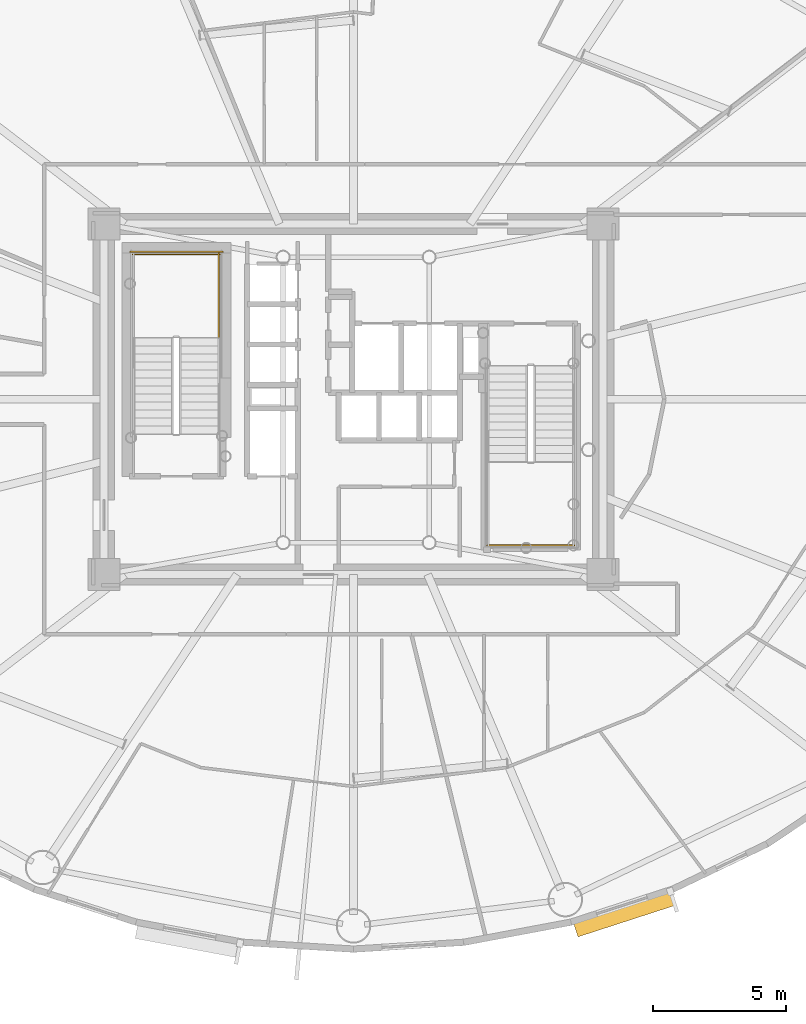
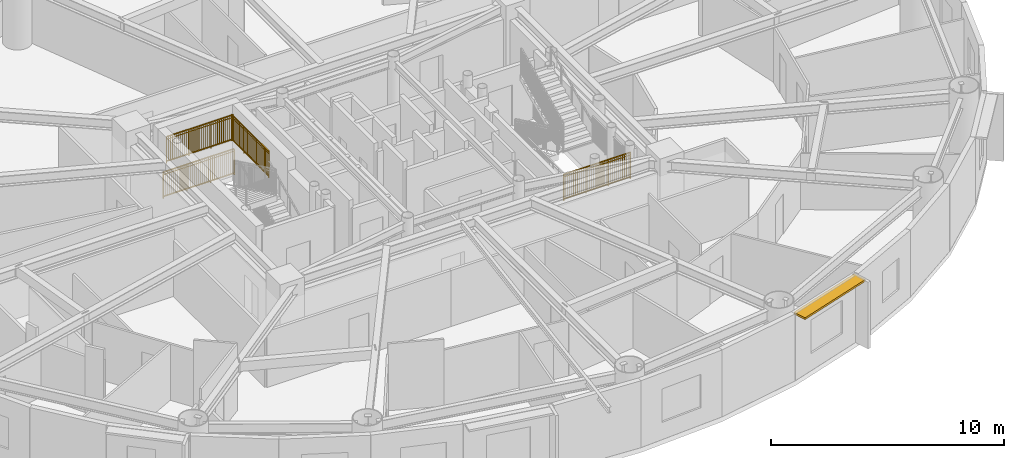
# One storey, part 18 of 21: 4 railings, 1 shading device.
"""IFC4 building model written with IfcOpenShell, lengths in metres."""

from ifc_helpers import new_model, si_unit, direction, frame, origin, origin_2d, place, context, subcontext, project, spatial, rectangle, extrude, source, transform, mapped, material, layer, layer_set, type_object, element, save


model = new_model("IFC4")

# Units and contexts
model_context = context("Model", 3, precision=1e-05, world=origin(), true_north=direction((0.0, 1.0)))
body_context = subcontext(model_context, "Body", "Model", "MODEL_VIEW")
ifc_project = project(units=[si_unit("LENGTHUNIT", "METRE"), si_unit("AREAUNIT", "SQUARE_METRE"), si_unit("VOLUMEUNIT", "CUBIC_METRE"), si_unit("PLANEANGLEUNIT", "RADIAN"), si_unit("MASSUNIT", "GRAM", prefix="KILO")], contexts=[model_context])

# Site, building, storey
site_placement = place(None, origin())
site = spatial("IfcSite", under=ifc_project, at=site_placement, CompositionType="ELEMENT")
building_placement = place(site_placement, origin())
building = spatial("IfcBuilding", under=site, at=building_placement, Name="Linh Dai School and Residence Tower", CompositionType="ELEMENT")
storey_placement = place(building_placement, frame((0.0, 0.0, 189.89990234375)))
storey = spatial("IfcBuildingStorey", under=building, at=storey_placement, Name="L46", CompositionType="ELEMENT", Elevation=189.89990234375)

# Shading device
ifc_material_1 = material(Name="Terracotta Ceramic Sunshade", Category="masonry")
ifc_layer = layer(ifc_material_1, 0.10009765625)
ifc_layer_set = layer_set([ifc_layer], Name="Terracotta Ceramic Sunshade")
shading_device_type = type_object("IfcShadingDeviceType", Name="SHD-TC-650", PredefinedType="USERDEFINED", material=ifc_layer_set)
shared_shape_1 = source(origin(), body_context, "Body", "SweptSolid", [
    extrude(rectangle(XDim=3.876220703125, YDim=0.64990234375, at=origin_2d()), origin(), (0.0, 0.0, 1.0), 0.10009765625),
])
shading_device_placement = place(storey_placement, frame((46.197265625, 7.662353515625, 3.380126953125), z_axis=(0.0, 0.0, 1.0), x_axis=(-0.951212761419, -0.308535707031, 0.0)))
element("IfcShadingDevice", 1, at=shading_device_placement, inside=storey, type_object=shading_device_type, Name="L46 Terracotta Horizontal Sunshade Band 33", ObjectType="SUNSHADE", PredefinedType="USERDEFINED", context=body_context, shape_type="MappedRepresentation", body=[
    mapped(shared_shape_1, transform((0.0, 0.0, 0.0), x_axis=(1.0, 0.0, 0.0), y_axis=(0.0, 1.0, 0.0), z_axis=(0.0, 0.0, 1.0), scale=1.0)),
])

# Railings
ifc_material_2 = material(Name="Structural Steel S355JR", Category="steel")
railing_type = type_object("IfcRailingType", Name="RL-ST-GUARD-1400", PredefinedType="GUARDRAIL", material=ifc_material_2)
shared_shape_2 = source(origin(), body_context, "Body", "SweptSolid", [
    extrude(rectangle(XDim=0.048095703125, YDim=0.048095703125, at=origin_2d()), frame((0.0, 0.0, 1.3759765625), z_axis=(-1.0, 0.0, 0.0), x_axis=(0.0, -1.0, 0.0)), (0.0, 0.0, 1.0), 3.300048828125),
    extrude(rectangle(XDim=0.048095703125, YDim=0.048095703125, at=origin_2d()), frame((0.0, 0.0, 0.10009765625), z_axis=(-1.0, 0.0, 0.0), x_axis=(0.0, -1.0, 0.0)), (0.0, 0.0, 1.0), 3.300048828125),
    extrude(rectangle(XDim=0.030029296875, YDim=0.030029296875, at=origin_2d()), frame((0.0, 0.0, 1.239990234375), z_axis=(-1.0, 0.0, 0.0), x_axis=(0.0, -1.0, 0.0)), (0.0, 0.0, 1.0), 3.300048828125),
    extrude(rectangle(XDim=0.02001953125, YDim=0.02001953125, at=origin_2d()), frame((-0.09716796875, 0.0, 0.10009765625)), (0.0, 0.0, 1.0), 1.251708984375),
    extrude(rectangle(XDim=0.02001953125, YDim=0.02001953125, at=origin_2d()), frame((-0.194091796875, 0.0, 0.10009765625)), (0.0, 0.0, 1.0), 1.251708984375),
    extrude(rectangle(XDim=0.02001953125, YDim=0.02001953125, at=origin_2d()), frame((-0.291259765625, 0.0, 0.10009765625)), (0.0, 0.0, 1.0), 1.251708984375),
    extrude(rectangle(XDim=0.02001953125, YDim=0.02001953125, at=origin_2d()), frame((-0.38818359375, 0.0, 0.10009765625)), (0.0, 0.0, 1.0), 1.251708984375),
    extrude(rectangle(XDim=0.02001953125, YDim=0.02001953125, at=origin_2d()), frame((-0.4853515625, 0.0, 0.10009765625)), (0.0, 0.0, 1.0), 1.251708984375),
    extrude(rectangle(XDim=0.02001953125, YDim=0.02001953125, at=origin_2d()), frame((-0.582275390625, 0.0, 0.10009765625)), (0.0, 0.0, 1.0), 1.251708984375),
    extrude(rectangle(XDim=0.02001953125, YDim=0.02001953125, at=origin_2d()), frame((-0.679443359375, 0.0, 0.10009765625)), (0.0, 0.0, 1.0), 1.251708984375),
    extrude(rectangle(XDim=0.02001953125, YDim=0.02001953125, at=origin_2d()), frame((-0.7763671875, 0.0, 0.10009765625)), (0.0, 0.0, 1.0), 1.251708984375),
    extrude(rectangle(XDim=0.02001953125, YDim=0.02001953125, at=origin_2d()), frame((-0.87353515625, 0.0, 0.10009765625)), (0.0, 0.0, 1.0), 1.251708984375),
    extrude(rectangle(XDim=0.02001953125, YDim=0.02001953125, at=origin_2d()), frame((-0.970703125, 0.0, 0.10009765625)), (0.0, 0.0, 1.0), 1.251708984375),
    extrude(rectangle(XDim=0.02001953125, YDim=0.02001953125, at=origin_2d()), frame((-1.164794921875, 0.0, 0.10009765625)), (0.0, 0.0, 1.0), 1.251708984375),
    extrude(rectangle(XDim=0.02001953125, YDim=0.02001953125, at=origin_2d()), frame((-1.26171875, 0.0, 0.10009765625)), (0.0, 0.0, 1.0), 1.251708984375),
    extrude(rectangle(XDim=0.02001953125, YDim=0.02001953125, at=origin_2d()), frame((-1.35888671875, 0.0, 0.10009765625)), (0.0, 0.0, 1.0), 1.251708984375),
    extrude(rectangle(XDim=0.02001953125, YDim=0.02001953125, at=origin_2d()), frame((-1.455810546875, 0.0, 0.10009765625)), (0.0, 0.0, 1.0), 1.251708984375),
    extrude(rectangle(XDim=0.02001953125, YDim=0.02001953125, at=origin_2d()), frame((-1.552978515625, 0.0, 0.10009765625)), (0.0, 0.0, 1.0), 1.251708984375),
    extrude(rectangle(XDim=0.02001953125, YDim=0.02001953125, at=origin_2d()), frame((-1.64990234375, 0.0, 0.10009765625)), (0.0, 0.0, 1.0), 1.251708984375),
    extrude(rectangle(XDim=0.02001953125, YDim=0.02001953125, at=origin_2d()), frame((-1.7470703125, 0.0, 0.10009765625)), (0.0, 0.0, 1.0), 1.251708984375),
    extrude(rectangle(XDim=0.02001953125, YDim=0.02001953125, at=origin_2d()), frame((-1.84423828125, 0.0, 0.10009765625)), (0.0, 0.0, 1.0), 1.251708984375),
    extrude(rectangle(XDim=0.02001953125, YDim=0.02001953125, at=origin_2d()), frame((-1.941162109375, 0.0, 0.10009765625)), (0.0, 0.0, 1.0), 1.251708984375),
    extrude(rectangle(XDim=0.02001953125, YDim=0.02001953125, at=origin_2d()), frame((-2.038330078125, 0.0, 0.10009765625)), (0.0, 0.0, 1.0), 1.251708984375),
    extrude(rectangle(XDim=0.02001953125, YDim=0.02001953125, at=origin_2d()), frame((-2.13525390625, 0.0, 0.10009765625)), (0.0, 0.0, 1.0), 1.251708984375),
    extrude(rectangle(XDim=0.02001953125, YDim=0.02001953125, at=origin_2d()), frame((-2.329345703125, 0.0, 0.10009765625)), (0.0, 0.0, 1.0), 1.251708984375),
    extrude(rectangle(XDim=0.02001953125, YDim=0.02001953125, at=origin_2d()), frame((-2.426513671875, 0.0, 0.10009765625)), (0.0, 0.0, 1.0), 1.251708984375),
    extrude(rectangle(XDim=0.02001953125, YDim=0.02001953125, at=origin_2d()), frame((-2.523681640625, 0.0, 0.10009765625)), (0.0, 0.0, 1.0), 1.251708984375),
    extrude(rectangle(XDim=0.02001953125, YDim=0.02001953125, at=origin_2d()), frame((-2.62060546875, 0.0, 0.10009765625)), (0.0, 0.0, 1.0), 1.251708984375),
    extrude(rectangle(XDim=0.02001953125, YDim=0.02001953125, at=origin_2d()), frame((-2.7177734375, 0.0, 0.10009765625)), (0.0, 0.0, 1.0), 1.251708984375),
    extrude(rectangle(XDim=0.02001953125, YDim=0.02001953125, at=origin_2d()), frame((-2.814697265625, 0.0, 0.10009765625)), (0.0, 0.0, 1.0), 1.251708984375),
    extrude(rectangle(XDim=0.02001953125, YDim=0.02001953125, at=origin_2d()), frame((-2.911865234375, 0.0, 0.10009765625)), (0.0, 0.0, 1.0), 1.251708984375),
    extrude(rectangle(XDim=0.02001953125, YDim=0.02001953125, at=origin_2d()), frame((-3.0087890625, 0.0, 0.10009765625)), (0.0, 0.0, 1.0), 1.251708984375),
    extrude(rectangle(XDim=0.02001953125, YDim=0.02001953125, at=origin_2d()), frame((-3.10595703125, 0.0, 0.10009765625)), (0.0, 0.0, 1.0), 1.251708984375),
    extrude(rectangle(XDim=0.02001953125, YDim=0.02001953125, at=origin_2d()), frame((-3.202880859375, 0.0, 0.10009765625)), (0.0, 0.0, 1.0), 1.251708984375),
    extrude(rectangle(XDim=0.0419921875, YDim=0.0419921875, at=origin_2d()), origin(), (0.0, 0.0, 1.0), 1.3759765625),
    extrude(rectangle(XDim=0.0419921875, YDim=0.0419921875, at=origin_2d()), frame((-1.10009765625, 0.0, 0.0)), (0.0, 0.0, 1.0), 1.3759765625),
    extrude(rectangle(XDim=0.0419921875, YDim=0.0419921875, at=origin_2d()), frame((-2.199951171875, 0.0, 0.0)), (0.0, 0.0, 1.0), 1.3759765625),
    extrude(rectangle(XDim=0.0419921875, YDim=0.0419921875, at=origin_2d()), frame((-3.300048828125, 0.0, 0.0)), (0.0, 0.0, 1.0), 1.3759765625),
])
railing_1_placement = place(storey_placement, frame((30.97998046875, 32.449951171875, 1.875)))
element("IfcRailing", 2, at=railing_1_placement, inside=storey, type_object=railing_type, Name="L46 ST1 stair guard 5", PredefinedType="GUARDRAIL", context=body_context, shape_type="MappedRepresentation", body=[
    mapped(shared_shape_2, transform((0.0, 0.0, 0.0), x_axis=(1.0, 0.0, 0.0), y_axis=(0.0, 1.0, 0.0), z_axis=(0.0, 0.0, 1.0), scale=1.0)),
])
shared_shape_3 = source(origin(), body_context, "Body", "SweptSolid", [
    extrude(rectangle(XDim=0.048095703125, YDim=0.048095703125, at=origin_2d()), frame((0.0, 0.0, 1.3759765625), z_axis=(-1.0, 0.0, 0.0), x_axis=(0.0, -1.0, 0.0)), (0.0, 0.0, 1.0), 3.5),
    extrude(rectangle(XDim=0.048095703125, YDim=0.048095703125, at=origin_2d()), frame((0.0, 0.0, 0.10009765625), z_axis=(-1.0, 0.0, 0.0), x_axis=(0.0, -1.0, 0.0)), (0.0, 0.0, 1.0), 3.5),
    extrude(rectangle(XDim=0.030029296875, YDim=0.030029296875, at=origin_2d()), frame((0.0, 0.0, 1.239990234375), z_axis=(-1.0, 0.0, 0.0), x_axis=(0.0, -1.0, 0.0)), (0.0, 0.0, 1.0), 3.5),
    extrude(rectangle(XDim=0.02001953125, YDim=0.02001953125, at=origin_2d()), frame((-0.09716796875, 0.0, 0.10009765625)), (0.0, 0.0, 1.0), 1.251708984375),
    extrude(rectangle(XDim=0.02001953125, YDim=0.02001953125, at=origin_2d()), frame((-0.1943359375, 0.0, 0.10009765625)), (0.0, 0.0, 1.0), 1.251708984375),
    extrude(rectangle(XDim=0.02001953125, YDim=0.02001953125, at=origin_2d()), frame((-0.291748046875, 0.0, 0.10009765625)), (0.0, 0.0, 1.0), 1.251708984375),
    extrude(rectangle(XDim=0.02001953125, YDim=0.02001953125, at=origin_2d()), frame((-0.388916015625, 0.0, 0.10009765625)), (0.0, 0.0, 1.0), 1.251708984375),
    extrude(rectangle(XDim=0.02001953125, YDim=0.02001953125, at=origin_2d()), frame((-0.486083984375, 0.0, 0.10009765625)), (0.0, 0.0, 1.0), 1.251708984375),
    extrude(rectangle(XDim=0.02001953125, YDim=0.02001953125, at=origin_2d()), frame((-0.583251953125, 0.0, 0.10009765625)), (0.0, 0.0, 1.0), 1.251708984375),
    extrude(rectangle(XDim=0.02001953125, YDim=0.02001953125, at=origin_2d()), frame((-0.6806640625, 0.0, 0.10009765625)), (0.0, 0.0, 1.0), 1.251708984375),
    extrude(rectangle(XDim=0.02001953125, YDim=0.02001953125, at=origin_2d()), frame((-0.77783203125, 0.0, 0.10009765625)), (0.0, 0.0, 1.0), 1.251708984375),
    extrude(rectangle(XDim=0.02001953125, YDim=0.02001953125, at=origin_2d()), frame((-0.875, 0.0, 0.10009765625)), (0.0, 0.0, 1.0), 1.251708984375),
    extrude(rectangle(XDim=0.02001953125, YDim=0.02001953125, at=origin_2d()), frame((-0.97216796875, 0.0, 0.10009765625)), (0.0, 0.0, 1.0), 1.251708984375),
    extrude(rectangle(XDim=0.02001953125, YDim=0.02001953125, at=origin_2d()), frame((-1.0693359375, 0.0, 0.10009765625)), (0.0, 0.0, 1.0), 1.251708984375),
    extrude(rectangle(XDim=0.02001953125, YDim=0.02001953125, at=origin_2d()), frame((-1.263916015625, 0.0, 0.10009765625)), (0.0, 0.0, 1.0), 1.251708984375),
    extrude(rectangle(XDim=0.02001953125, YDim=0.02001953125, at=origin_2d()), frame((-1.361083984375, 0.0, 0.10009765625)), (0.0, 0.0, 1.0), 1.251708984375),
    extrude(rectangle(XDim=0.02001953125, YDim=0.02001953125, at=origin_2d()), frame((-1.458251953125, 0.0, 0.10009765625)), (0.0, 0.0, 1.0), 1.251708984375),
    extrude(rectangle(XDim=0.02001953125, YDim=0.02001953125, at=origin_2d()), frame((-1.5556640625, 0.0, 0.10009765625)), (0.0, 0.0, 1.0), 1.251708984375),
    extrude(rectangle(XDim=0.02001953125, YDim=0.02001953125, at=origin_2d()), frame((-1.65283203125, 0.0, 0.10009765625)), (0.0, 0.0, 1.0), 1.251708984375),
    extrude(rectangle(XDim=0.02001953125, YDim=0.02001953125, at=origin_2d()), frame((-1.75, 0.0, 0.10009765625)), (0.0, 0.0, 1.0), 1.251708984375),
    extrude(rectangle(XDim=0.02001953125, YDim=0.02001953125, at=origin_2d()), frame((-1.84716796875, 0.0, 0.10009765625)), (0.0, 0.0, 1.0), 1.251708984375),
    extrude(rectangle(XDim=0.02001953125, YDim=0.02001953125, at=origin_2d()), frame((-1.9443359375, 0.0, 0.10009765625)), (0.0, 0.0, 1.0), 1.251708984375),
    extrude(rectangle(XDim=0.02001953125, YDim=0.02001953125, at=origin_2d()), frame((-2.041748046875, 0.0, 0.10009765625)), (0.0, 0.0, 1.0), 1.251708984375),
    extrude(rectangle(XDim=0.02001953125, YDim=0.02001953125, at=origin_2d()), frame((-2.138916015625, 0.0, 0.10009765625)), (0.0, 0.0, 1.0), 1.251708984375),
    extrude(rectangle(XDim=0.02001953125, YDim=0.02001953125, at=origin_2d()), frame((-2.236083984375, 0.0, 0.10009765625)), (0.0, 0.0, 1.0), 1.251708984375),
    extrude(rectangle(XDim=0.02001953125, YDim=0.02001953125, at=origin_2d()), frame((-2.4306640625, 0.0, 0.10009765625)), (0.0, 0.0, 1.0), 1.251708984375),
    extrude(rectangle(XDim=0.02001953125, YDim=0.02001953125, at=origin_2d()), frame((-2.52783203125, 0.0, 0.10009765625)), (0.0, 0.0, 1.0), 1.251708984375),
    extrude(rectangle(XDim=0.02001953125, YDim=0.02001953125, at=origin_2d()), frame((-2.625, 0.0, 0.10009765625)), (0.0, 0.0, 1.0), 1.251708984375),
    extrude(rectangle(XDim=0.02001953125, YDim=0.02001953125, at=origin_2d()), frame((-2.72216796875, 0.0, 0.10009765625)), (0.0, 0.0, 1.0), 1.251708984375),
    extrude(rectangle(XDim=0.02001953125, YDim=0.02001953125, at=origin_2d()), frame((-2.8193359375, 0.0, 0.10009765625)), (0.0, 0.0, 1.0), 1.251708984375),
    extrude(rectangle(XDim=0.02001953125, YDim=0.02001953125, at=origin_2d()), frame((-2.916748046875, 0.0, 0.10009765625)), (0.0, 0.0, 1.0), 1.251708984375),
    extrude(rectangle(XDim=0.02001953125, YDim=0.02001953125, at=origin_2d()), frame((-3.013916015625, 0.0, 0.10009765625)), (0.0, 0.0, 1.0), 1.251708984375),
    extrude(rectangle(XDim=0.02001953125, YDim=0.02001953125, at=origin_2d()), frame((-3.111083984375, 0.0, 0.10009765625)), (0.0, 0.0, 1.0), 1.251708984375),
    extrude(rectangle(XDim=0.02001953125, YDim=0.02001953125, at=origin_2d()), frame((-3.208251953125, 0.0, 0.10009765625)), (0.0, 0.0, 1.0), 1.251708984375),
    extrude(rectangle(XDim=0.02001953125, YDim=0.02001953125, at=origin_2d()), frame((-3.3056640625, 0.0, 0.10009765625)), (0.0, 0.0, 1.0), 1.251708984375),
    extrude(rectangle(XDim=0.02001953125, YDim=0.02001953125, at=origin_2d()), frame((-3.40283203125, 0.0, 0.10009765625)), (0.0, 0.0, 1.0), 1.251708984375),
    extrude(rectangle(XDim=0.0419921875, YDim=0.0419921875, at=origin_2d()), origin(), (0.0, 0.0, 1.0), 1.3759765625),
    extrude(rectangle(XDim=0.0419921875, YDim=0.0419921875, at=origin_2d()), frame((-1.166748046875, 0.0, 0.0)), (0.0, 0.0, 1.0), 1.3759765625),
    extrude(rectangle(XDim=0.0419921875, YDim=0.0419921875, at=origin_2d()), frame((-2.333251953125, 0.0, 0.0)), (0.0, 0.0, 1.0), 1.3759765625),
    extrude(rectangle(XDim=0.0419921875, YDim=0.0419921875, at=origin_2d()), frame((-3.5, 0.0, 0.0)), (0.0, 0.0, 1.0), 1.3759765625),
])
railing_2_placement = place(storey_placement, frame((31.080078125, 32.550048828125, 0.0)))
element("IfcRailing", 3, at=railing_2_placement, inside=storey, type_object=railing_type, Name="L46 ST1 stair guard 12", PredefinedType="GUARDRAIL", context=body_context, shape_type="MappedRepresentation", body=[
    mapped(shared_shape_3, transform((0.0, 0.0, 0.0), x_axis=(1.0, 0.0, 0.0), y_axis=(0.0, 1.0, 0.0), z_axis=(0.0, 0.0, 1.0), scale=1.0)),
])
shared_shape_4 = source(origin(), body_context, "Body", "SweptSolid", [
    extrude(rectangle(XDim=0.048095703125, YDim=0.048095703125, at=origin_2d()), frame((0.0, 0.0, 1.3759765625), z_axis=(0.0, 1.0, 0.0), x_axis=(-1.0, 0.0, 0.0)), (0.0, 0.0, 1.0), 3.199951171875),
    extrude(rectangle(XDim=0.048095703125, YDim=0.048095703125, at=origin_2d()), frame((0.0, 0.0, 0.10009765625), z_axis=(0.0, 1.0, 0.0), x_axis=(-1.0, 0.0, 0.0)), (0.0, 0.0, 1.0), 3.199951171875),
    extrude(rectangle(XDim=0.030029296875, YDim=0.030029296875, at=origin_2d()), frame((0.0, 0.0, 1.239990234375), z_axis=(0.0, 1.0, 0.0), x_axis=(-1.0, 0.0, 0.0)), (0.0, 0.0, 1.0), 3.199951171875),
    extrude(rectangle(XDim=0.02001953125, YDim=0.02001953125, at=origin_2d()), frame((0.0, 0.096923828125, 0.10009765625)), (0.0, 0.0, 1.0), 1.251708984375),
    extrude(rectangle(XDim=0.02001953125, YDim=0.02001953125, at=origin_2d()), frame((0.0, 0.19384765625, 0.10009765625)), (0.0, 0.0, 1.0), 1.251708984375),
    extrude(rectangle(XDim=0.02001953125, YDim=0.02001953125, at=origin_2d()), frame((0.0, 0.291015625, 0.10009765625)), (0.0, 0.0, 1.0), 1.251708984375),
    extrude(rectangle(XDim=0.02001953125, YDim=0.02001953125, at=origin_2d()), frame((0.0, 0.387939453125, 0.10009765625)), (0.0, 0.0, 1.0), 1.251708984375),
    extrude(rectangle(XDim=0.02001953125, YDim=0.02001953125, at=origin_2d()), frame((0.0, 0.48486328125, 0.10009765625)), (0.0, 0.0, 1.0), 1.251708984375),
    extrude(rectangle(XDim=0.02001953125, YDim=0.02001953125, at=origin_2d()), frame((0.0, 0.581787109375, 0.10009765625)), (0.0, 0.0, 1.0), 1.251708984375),
    extrude(rectangle(XDim=0.02001953125, YDim=0.02001953125, at=origin_2d()), frame((0.0, 0.6787109375, 0.10009765625)), (0.0, 0.0, 1.0), 1.251708984375),
    extrude(rectangle(XDim=0.02001953125, YDim=0.02001953125, at=origin_2d()), frame((0.0, 0.775634765625, 0.10009765625)), (0.0, 0.0, 1.0), 1.251708984375),
    extrude(rectangle(XDim=0.02001953125, YDim=0.02001953125, at=origin_2d()), frame((0.0, 0.872802734375, 0.10009765625)), (0.0, 0.0, 1.0), 1.251708984375),
    extrude(rectangle(XDim=0.02001953125, YDim=0.02001953125, at=origin_2d()), frame((0.0, 0.9697265625, 0.10009765625)), (0.0, 0.0, 1.0), 1.251708984375),
    extrude(rectangle(XDim=0.02001953125, YDim=0.02001953125, at=origin_2d()), frame((0.0, 1.16357421875, 0.10009765625)), (0.0, 0.0, 1.0), 1.251708984375),
    extrude(rectangle(XDim=0.02001953125, YDim=0.02001953125, at=origin_2d()), frame((0.0, 1.260498046875, 0.10009765625)), (0.0, 0.0, 1.0), 1.251708984375),
    extrude(rectangle(XDim=0.02001953125, YDim=0.02001953125, at=origin_2d()), frame((0.0, 1.357666015625, 0.10009765625)), (0.0, 0.0, 1.0), 1.251708984375),
    extrude(rectangle(XDim=0.02001953125, YDim=0.02001953125, at=origin_2d()), frame((0.0, 1.45458984375, 0.10009765625)), (0.0, 0.0, 1.0), 1.251708984375),
    extrude(rectangle(XDim=0.02001953125, YDim=0.02001953125, at=origin_2d()), frame((0.0, 1.551513671875, 0.10009765625)), (0.0, 0.0, 1.0), 1.251708984375),
    extrude(rectangle(XDim=0.02001953125, YDim=0.02001953125, at=origin_2d()), frame((0.0, 1.6484375, 0.10009765625)), (0.0, 0.0, 1.0), 1.251708984375),
    extrude(rectangle(XDim=0.02001953125, YDim=0.02001953125, at=origin_2d()), frame((0.0, 1.745361328125, 0.10009765625)), (0.0, 0.0, 1.0), 1.251708984375),
    extrude(rectangle(XDim=0.02001953125, YDim=0.02001953125, at=origin_2d()), frame((0.0, 1.84228515625, 0.10009765625)), (0.0, 0.0, 1.0), 1.251708984375),
    extrude(rectangle(XDim=0.02001953125, YDim=0.02001953125, at=origin_2d()), frame((0.0, 1.939453125, 0.10009765625)), (0.0, 0.0, 1.0), 1.251708984375),
    extrude(rectangle(XDim=0.02001953125, YDim=0.02001953125, at=origin_2d()), frame((0.0, 2.036376953125, 0.10009765625)), (0.0, 0.0, 1.0), 1.251708984375),
    extrude(rectangle(XDim=0.02001953125, YDim=0.02001953125, at=origin_2d()), frame((0.0, 2.230224609375, 0.10009765625)), (0.0, 0.0, 1.0), 1.251708984375),
    extrude(rectangle(XDim=0.02001953125, YDim=0.02001953125, at=origin_2d()), frame((0.0, 2.3271484375, 0.10009765625)), (0.0, 0.0, 1.0), 1.251708984375),
    extrude(rectangle(XDim=0.02001953125, YDim=0.02001953125, at=origin_2d()), frame((0.0, 2.42431640625, 0.10009765625)), (0.0, 0.0, 1.0), 1.251708984375),
    extrude(rectangle(XDim=0.02001953125, YDim=0.02001953125, at=origin_2d()), frame((0.0, 2.521240234375, 0.10009765625)), (0.0, 0.0, 1.0), 1.251708984375),
    extrude(rectangle(XDim=0.02001953125, YDim=0.02001953125, at=origin_2d()), frame((0.0, 2.6181640625, 0.10009765625)), (0.0, 0.0, 1.0), 1.251708984375),
    extrude(rectangle(XDim=0.02001953125, YDim=0.02001953125, at=origin_2d()), frame((0.0, 2.715087890625, 0.10009765625)), (0.0, 0.0, 1.0), 1.251708984375),
    extrude(rectangle(XDim=0.02001953125, YDim=0.02001953125, at=origin_2d()), frame((0.0, 2.81201171875, 0.10009765625)), (0.0, 0.0, 1.0), 1.251708984375),
    extrude(rectangle(XDim=0.02001953125, YDim=0.02001953125, at=origin_2d()), frame((0.0, 2.908935546875, 0.10009765625)), (0.0, 0.0, 1.0), 1.251708984375),
    extrude(rectangle(XDim=0.02001953125, YDim=0.02001953125, at=origin_2d()), frame((0.0, 3.006103515625, 0.10009765625)), (0.0, 0.0, 1.0), 1.251708984375),
    extrude(rectangle(XDim=0.02001953125, YDim=0.02001953125, at=origin_2d()), frame((0.0, 3.10302734375, 0.10009765625)), (0.0, 0.0, 1.0), 1.251708984375),
    extrude(rectangle(XDim=0.0419921875, YDim=0.0419921875, at=origin_2d()), origin(), (0.0, 0.0, 1.0), 1.3759765625),
    extrude(rectangle(XDim=0.0419921875, YDim=0.0419921875, at=origin_2d()), frame((0.0, 1.066650390625, 0.0)), (0.0, 0.0, 1.0), 1.3759765625),
    extrude(rectangle(XDim=0.0419921875, YDim=0.0419921875, at=origin_2d()), frame((0.0, 2.13330078125, 0.0)), (0.0, 0.0, 1.0), 1.3759765625),
    extrude(rectangle(XDim=0.0419921875, YDim=0.0419921875, at=origin_2d()), frame((0.0, 3.199951171875, 0.0)), (0.0, 0.0, 1.0), 1.3759765625),
])
railing_3_placement = place(storey_placement, frame((30.929931640625, 29.300048828125, 1.875)))
element("IfcRailing", 4, at=railing_3_placement, inside=storey, type_object=railing_type, Name="L46 ST1 stair guard 3", PredefinedType="GUARDRAIL", context=body_context, shape_type="MappedRepresentation", body=[
    mapped(shared_shape_4, transform((0.0, 0.0, 0.0), x_axis=(1.0, 0.0, 0.0), y_axis=(0.0, 1.0, 0.0), z_axis=(0.0, 0.0, 1.0), scale=1.0)),
])
shared_shape_5 = source(origin(), body_context, "Body", "SweptSolid", [
    extrude(rectangle(XDim=0.048095703125, YDim=0.048095703125, at=origin_2d()), frame((0.0, 0.0, 1.3759765625), z_axis=(1.0, 0.0, 0.0), x_axis=(0.0, 1.0, 0.0)), (0.0, 0.0, 1.0), 3.300048828125),
    extrude(rectangle(XDim=0.048095703125, YDim=0.048095703125, at=origin_2d()), frame((0.0, 0.0, 0.10009765625), z_axis=(1.0, 0.0, 0.0), x_axis=(0.0, 1.0, 0.0)), (0.0, 0.0, 1.0), 3.300048828125),
    extrude(rectangle(XDim=0.030029296875, YDim=0.030029296875, at=origin_2d()), frame((0.0, 0.0, 1.239990234375), z_axis=(1.0, 0.0, 0.0), x_axis=(0.0, 1.0, 0.0)), (0.0, 0.0, 1.0), 3.300048828125),
    extrude(rectangle(XDim=0.02001953125, YDim=0.02001953125, at=origin_2d()), frame((0.09716796875, 0.0, 0.10009765625)), (0.0, 0.0, 1.0), 1.251708984375),
    extrude(rectangle(XDim=0.02001953125, YDim=0.02001953125, at=origin_2d()), frame((0.194091796875, 0.0, 0.10009765625)), (0.0, 0.0, 1.0), 1.251708984375),
    extrude(rectangle(XDim=0.02001953125, YDim=0.02001953125, at=origin_2d()), frame((0.291259765625, 0.0, 0.10009765625)), (0.0, 0.0, 1.0), 1.251708984375),
    extrude(rectangle(XDim=0.02001953125, YDim=0.02001953125, at=origin_2d()), frame((0.38818359375, 0.0, 0.10009765625)), (0.0, 0.0, 1.0), 1.251708984375),
    extrude(rectangle(XDim=0.02001953125, YDim=0.02001953125, at=origin_2d()), frame((0.4853515625, 0.0, 0.10009765625)), (0.0, 0.0, 1.0), 1.251708984375),
    extrude(rectangle(XDim=0.02001953125, YDim=0.02001953125, at=origin_2d()), frame((0.582275390625, 0.0, 0.10009765625)), (0.0, 0.0, 1.0), 1.251708984375),
    extrude(rectangle(XDim=0.02001953125, YDim=0.02001953125, at=origin_2d()), frame((0.679443359375, 0.0, 0.10009765625)), (0.0, 0.0, 1.0), 1.251708984375),
    extrude(rectangle(XDim=0.02001953125, YDim=0.02001953125, at=origin_2d()), frame((0.7763671875, 0.0, 0.10009765625)), (0.0, 0.0, 1.0), 1.251708984375),
    extrude(rectangle(XDim=0.02001953125, YDim=0.02001953125, at=origin_2d()), frame((0.87353515625, 0.0, 0.10009765625)), (0.0, 0.0, 1.0), 1.251708984375),
    extrude(rectangle(XDim=0.02001953125, YDim=0.02001953125, at=origin_2d()), frame((0.970703125, 0.0, 0.10009765625)), (0.0, 0.0, 1.0), 1.251708984375),
    extrude(rectangle(XDim=0.02001953125, YDim=0.02001953125, at=origin_2d()), frame((1.164794921875, 0.0, 0.10009765625)), (0.0, 0.0, 1.0), 1.251708984375),
    extrude(rectangle(XDim=0.02001953125, YDim=0.02001953125, at=origin_2d()), frame((1.26171875, 0.0, 0.10009765625)), (0.0, 0.0, 1.0), 1.251708984375),
    extrude(rectangle(XDim=0.02001953125, YDim=0.02001953125, at=origin_2d()), frame((1.35888671875, 0.0, 0.10009765625)), (0.0, 0.0, 1.0), 1.251708984375),
    extrude(rectangle(XDim=0.02001953125, YDim=0.02001953125, at=origin_2d()), frame((1.455810546875, 0.0, 0.10009765625)), (0.0, 0.0, 1.0), 1.251708984375),
    extrude(rectangle(XDim=0.02001953125, YDim=0.02001953125, at=origin_2d()), frame((1.552978515625, 0.0, 0.10009765625)), (0.0, 0.0, 1.0), 1.251708984375),
    extrude(rectangle(XDim=0.02001953125, YDim=0.02001953125, at=origin_2d()), frame((1.64990234375, 0.0, 0.10009765625)), (0.0, 0.0, 1.0), 1.251708984375),
    extrude(rectangle(XDim=0.02001953125, YDim=0.02001953125, at=origin_2d()), frame((1.7470703125, 0.0, 0.10009765625)), (0.0, 0.0, 1.0), 1.251708984375),
    extrude(rectangle(XDim=0.02001953125, YDim=0.02001953125, at=origin_2d()), frame((1.84423828125, 0.0, 0.10009765625)), (0.0, 0.0, 1.0), 1.251708984375),
    extrude(rectangle(XDim=0.02001953125, YDim=0.02001953125, at=origin_2d()), frame((1.941162109375, 0.0, 0.10009765625)), (0.0, 0.0, 1.0), 1.251708984375),
    extrude(rectangle(XDim=0.02001953125, YDim=0.02001953125, at=origin_2d()), frame((2.038330078125, 0.0, 0.10009765625)), (0.0, 0.0, 1.0), 1.251708984375),
    extrude(rectangle(XDim=0.02001953125, YDim=0.02001953125, at=origin_2d()), frame((2.13525390625, 0.0, 0.10009765625)), (0.0, 0.0, 1.0), 1.251708984375),
    extrude(rectangle(XDim=0.02001953125, YDim=0.02001953125, at=origin_2d()), frame((2.329345703125, 0.0, 0.10009765625)), (0.0, 0.0, 1.0), 1.251708984375),
    extrude(rectangle(XDim=0.02001953125, YDim=0.02001953125, at=origin_2d()), frame((2.426513671875, 0.0, 0.10009765625)), (0.0, 0.0, 1.0), 1.251708984375),
    extrude(rectangle(XDim=0.02001953125, YDim=0.02001953125, at=origin_2d()), frame((2.523681640625, 0.0, 0.10009765625)), (0.0, 0.0, 1.0), 1.251708984375),
    extrude(rectangle(XDim=0.02001953125, YDim=0.02001953125, at=origin_2d()), frame((2.62060546875, 0.0, 0.10009765625)), (0.0, 0.0, 1.0), 1.251708984375),
    extrude(rectangle(XDim=0.02001953125, YDim=0.02001953125, at=origin_2d()), frame((2.7177734375, 0.0, 0.10009765625)), (0.0, 0.0, 1.0), 1.251708984375),
    extrude(rectangle(XDim=0.02001953125, YDim=0.02001953125, at=origin_2d()), frame((2.814697265625, 0.0, 0.10009765625)), (0.0, 0.0, 1.0), 1.251708984375),
    extrude(rectangle(XDim=0.02001953125, YDim=0.02001953125, at=origin_2d()), frame((2.911865234375, 0.0, 0.10009765625)), (0.0, 0.0, 1.0), 1.251708984375),
    extrude(rectangle(XDim=0.02001953125, YDim=0.02001953125, at=origin_2d()), frame((3.0087890625, 0.0, 0.10009765625)), (0.0, 0.0, 1.0), 1.251708984375),
    extrude(rectangle(XDim=0.02001953125, YDim=0.02001953125, at=origin_2d()), frame((3.10595703125, 0.0, 0.10009765625)), (0.0, 0.0, 1.0), 1.251708984375),
    extrude(rectangle(XDim=0.02001953125, YDim=0.02001953125, at=origin_2d()), frame((3.202880859375, 0.0, 0.10009765625)), (0.0, 0.0, 1.0), 1.251708984375),
    extrude(rectangle(XDim=0.0419921875, YDim=0.0419921875, at=origin_2d()), origin(), (0.0, 0.0, 1.0), 1.3759765625),
    extrude(rectangle(XDim=0.0419921875, YDim=0.0419921875, at=origin_2d()), frame((1.10009765625, 0.0, 0.0)), (0.0, 0.0, 1.0), 1.3759765625),
    extrude(rectangle(XDim=0.0419921875, YDim=0.0419921875, at=origin_2d()), frame((2.199951171875, 0.0, 0.0)), (0.0, 0.0, 1.0), 1.3759765625),
    extrude(rectangle(XDim=0.0419921875, YDim=0.0419921875, at=origin_2d()), frame((3.300048828125, 0.0, 0.0)), (0.0, 0.0, 1.0), 1.3759765625),
])
railing_4_placement = place(storey_placement, frame((41.02001953125, 21.5, 1.875)))
element("IfcRailing", 5, at=railing_4_placement, inside=storey, type_object=railing_type, Name="L46 ST2 stair guard 5", PredefinedType="GUARDRAIL", context=body_context, shape_type="MappedRepresentation", body=[
    mapped(shared_shape_5, transform((0.0, 0.0, 0.0), x_axis=(1.0, 0.0, 0.0), y_axis=(0.0, 1.0, 0.0), z_axis=(0.0, 0.0, 1.0), scale=1.0)),
])

save(model, "model.ifc")
